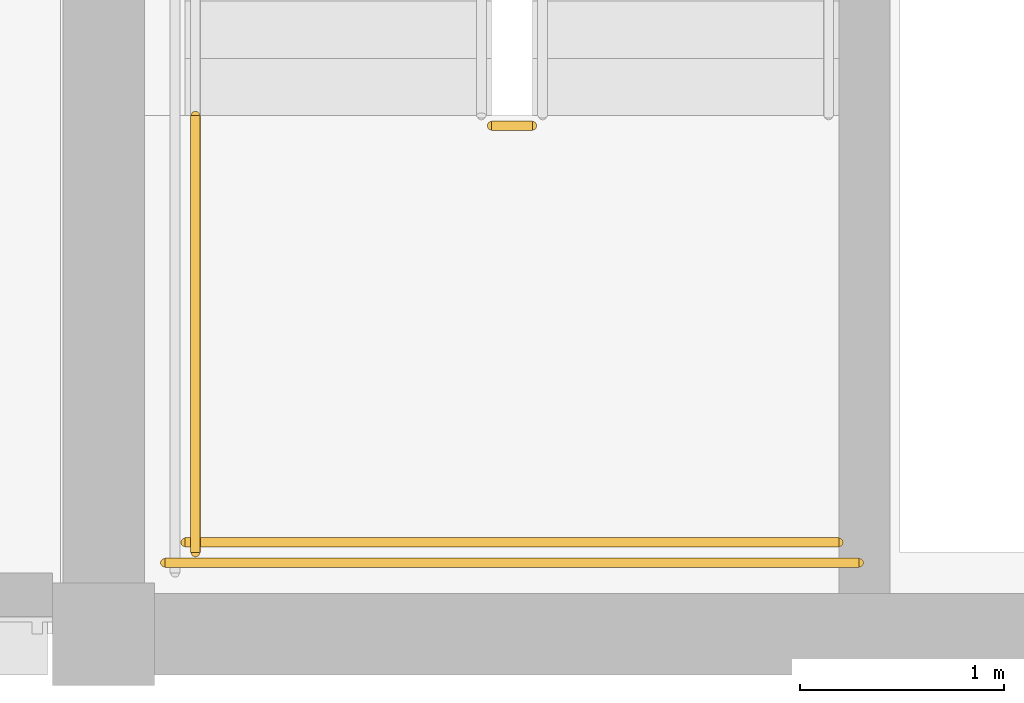
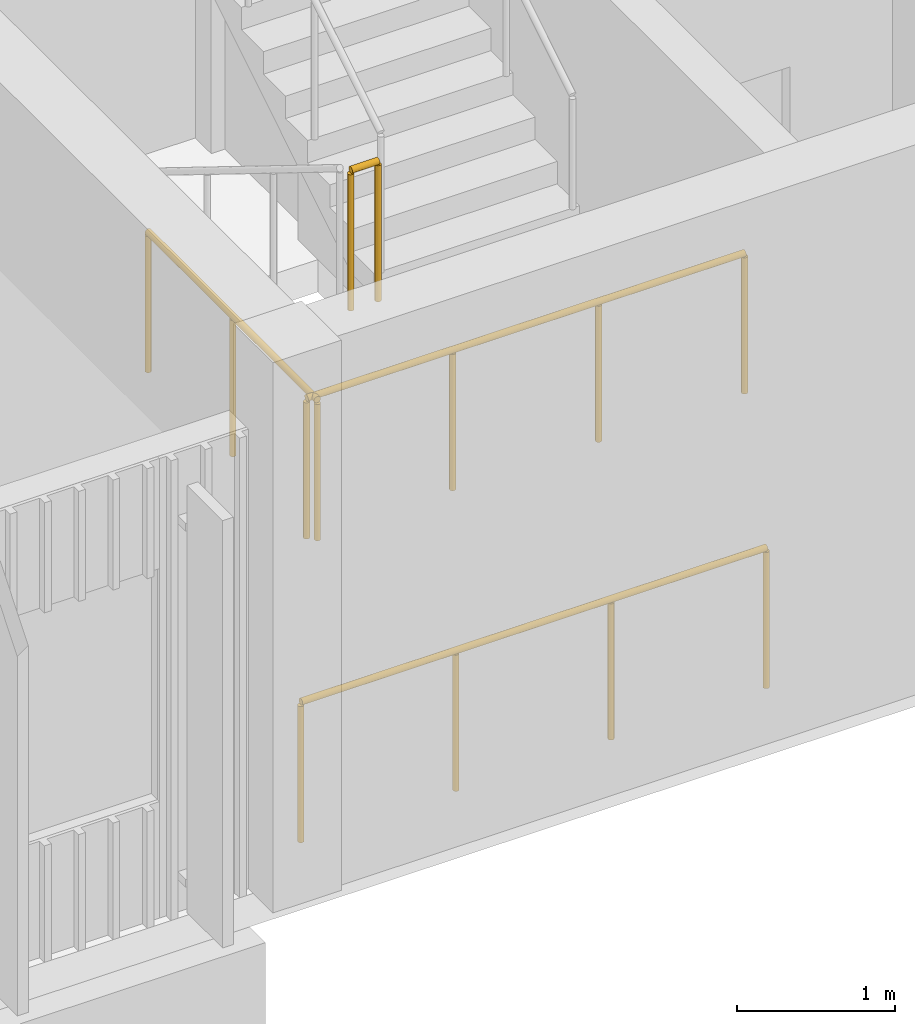
# One storey, part 75 of 92: 4 railings.
"""IFC4 building model written with IfcOpenShell, lengths in metres."""

import ifcopenshell
import ifcopenshell.guid

model = None  # the IFC model being written
_history = None  # IfcOwnerHistory: only IFC2X3 demands one
_inside = {}  # id of a spatial element -> (the spatial element, [elements in it])
_under = {}  # id of a project, library or spatial element -> (it, [spatial elements below it])
_declared = {}  # id of a project -> (the project, [libraries it declares])
_typed = {}  # id of a type object -> (the type object, [elements of that type])
_made_of = {}  # id of a material, layer set ... -> (it, [elements and type objects made of it])


def new_model(schema):
    """Start an empty IFC model of exactly this schema.

    Asked for "IFC4X3", IfcOpenShell would pick the latest addendum, in which some entities
    have other attributes; the version numbers below select the first issue.
    IFC2X3 requires an IfcOwnerHistory on every rooted entity: one is made here for all.
    """
    global model, _history
    if schema == "IFC4X3":
        model = ifcopenshell.file(schema_version=(4, 3, 0, 0))
    else:
        model = ifcopenshell.file(schema=schema)
    _inside.clear()
    _under.clear()
    _declared.clear()
    _typed.clear()
    _made_of.clear()
    _history = None
    if model.schema == "IFC2X3":
        org = make("IfcOrganization", Name="unknown")
        user = make(
            "IfcPersonAndOrganization",
            ThePerson=make("IfcPerson", FamilyName="unknown"),
            TheOrganization=org,
        )
        app = make(
            "IfcApplication",
            ApplicationDeveloper=org,
            Version="unknown",
            ApplicationFullName="unknown",
            ApplicationIdentifier="unknown",
        )
        _history = make(
            "IfcOwnerHistory",
            OwningUser=user,
            OwningApplication=app,
            ChangeAction="ADDED",
            CreationDate=0,
        )
    return model


def make(cls, **values):
    """One entity of the class cls with the attributes given. An attribute that is None is left unset."""
    return model.create_entity(
        cls, **{name: value for name, value in values.items() if value is not None}
    )


def rooted(cls, **values):
    """An entity with a GlobalId (a new one), such as an element, a storey or a relation."""
    return make(cls, GlobalId=ifcopenshell.guid.new(), OwnerHistory=_history, **values)


def si_unit(unit_type, name, prefix=None):
    """IfcSIUnit, for example si_unit("LENGTHUNIT", "METRE", prefix="MILLI")."""
    return make("IfcSIUnit", UnitType=unit_type, Prefix=prefix, Name=name)


def assignment(units):
    """IfcUnitAssignment: the units of a project."""
    return None if units is None else make("IfcUnitAssignment", Units=units)


def point(xyz):
    """IfcCartesianPoint."""
    return None if xyz is None else make("IfcCartesianPoint", Coordinates=xyz)


def direction(xyz):
    """IfcDirection."""
    return None if xyz is None else make("IfcDirection", DirectionRatios=xyz)


def frame(location, z_axis=None, x_axis=None):
    """IfcAxis2Placement3D, a coordinate frame: its origin and axes. An axis left out is left unset."""
    return make(
        "IfcAxis2Placement3D",
        Location=point(location),
        Axis=direction(z_axis),
        RefDirection=direction(x_axis),
    )


def frame_2d(location, x_axis=None):
    """IfcAxis2Placement2D, a coordinate frame in the plane: its origin and x axis."""
    return make(
        "IfcAxis2Placement2D", Location=point(location), RefDirection=direction(x_axis)
    )


def origin():
    """The frame at (0, 0, 0) with its axes left unset."""
    return frame((0.0, 0.0, 0.0))


def origin_2d():
    """The frame at (0, 0) in the plane with its x axis left unset."""
    return frame_2d((0.0, 0.0))


def place(relative_to, where):
    """IfcLocalPlacement: puts the frame where relative to a parent placement (None: the world)."""
    return make(
        "IfcLocalPlacement", PlacementRelTo=relative_to, RelativePlacement=where
    )


def context(
    kind, dimensions, precision=None, world=None, true_north=None, identifier=None
):
    """IfcGeometricRepresentationContext, for example the 3D "Model" context."""
    return make(
        "IfcGeometricRepresentationContext",
        ContextIdentifier=identifier,
        ContextType=kind,
        CoordinateSpaceDimension=dimensions,
        Precision=precision,
        WorldCoordinateSystem=world,
        TrueNorth=true_north,
    )


def subcontext(parent, identifier, kind, view, scale=None):
    """IfcGeometricRepresentationSubContext, for example "Body" below "Model"."""
    return make(
        "IfcGeometricRepresentationSubContext",
        ContextIdentifier=identifier,
        ContextType=kind,
        ParentContext=parent,
        TargetScale=scale,
        TargetView=view,
    )


def project(units=None, contexts=None):
    """IfcProject with its units and contexts."""
    return rooted(
        "IfcProject",
        Name="project",
        RepresentationContexts=contexts,
        UnitsInContext=assignment(units),
    )


def spatial(cls, under=None, at=None, **own):
    """A site, building, storey or space (cls), placed at a placement, below another one or the project."""
    s = rooted(cls, ObjectPlacement=at, **own)
    if under is not None:
        _under.setdefault(under.id(), (under, []))[1].append(s)
    return s


def profile(cls, at=None, kind="AREA", **sizes):
    """A parametric profile (cls). Its sizes go by their IFC names, for example OverallWidth=200.0."""
    return make(cls, ProfileType=kind, Position=at, **sizes)


def circle(**sizes):
    """IfcCircleProfileDef."""
    return profile("IfcCircleProfileDef", **sizes)


def extrude(swept, where, along, depth):
    """IfcExtrudedAreaSolid: the profile swept, set in the frame where, extruded along a direction by depth."""
    return make(
        "IfcExtrudedAreaSolid",
        SweptArea=swept,
        Position=where,
        ExtrudedDirection=direction(along),
        Depth=depth,
    )


def shape(context_of_items, identifier, shape_type, items):
    """IfcShapeRepresentation: the items that make up one representation, for example the "Body"."""
    return make(
        "IfcShapeRepresentation",
        ContextOfItems=context_of_items,
        RepresentationIdentifier=identifier,
        RepresentationType=shape_type,
        Items=items,
    )


def material(Name=None, Category=None):
    """IfcMaterial."""
    return make("IfcMaterial", Name=Name, Category=Category)


def made_of(thing, what):
    """Note that an element or type object is made of a material, layer set ...; save() writes the relation."""
    if what is not None:
        _made_of.setdefault(what.id(), (what, []))[1].append(thing)
    return thing


def type_object(cls, material=None, **own):
    """A type object (cls), such as IfcWallType, which elements share."""
    return made_of(rooted(cls, **own), material)


def element(
    cls,
    number,
    at=None,
    inside=None,
    cuts=None,
    type_object=None,
    material=None,
    context=None,
    identifier="Body",
    shape_type=None,
    held_by="IfcProductDefinitionShape",
    body=None,
    shapes=None,
    **own,
):
    """One element of the class cls, such as IfcWall. Its Tag is "e" and its number.

    at: its placement. inside: the storey or other place that contains it. cuts: it is an
    opening in that element (IfcRelVoidsElement). A single representation is given by context,
    identifier, shape_type and body (its items); several are given by shapes. held_by: the class
    of the entity that holds the representations. save() writes the other relations.
    """
    e = rooted(cls, Tag="e%d" % number, ObjectPlacement=at, **own)
    if body is not None:
        shapes = [shape(context, identifier, shape_type, body)]
    if shapes is not None:
        e.Representation = make(held_by, Representations=shapes)
    if inside is not None:
        _inside.setdefault(inside.id(), (inside, []))[1].append(e)
    if cuts is not None:
        rooted(
            "IfcRelVoidsElement", RelatingBuildingElement=cuts, RelatedOpeningElement=e
        )
    if type_object is not None:
        _typed.setdefault(type_object.id(), (type_object, []))[1].append(e)
    return made_of(e, material)


def aggregate(whole, parts):
    """IfcRelAggregates: a whole, such as a stair, and the parts it consists of."""
    return rooted("IfcRelAggregates", RelatingObject=whole, RelatedObjects=parts)


def save(model, path):
    """Write the relations noted so far, then the file.

    IfcRelAggregates (storeys below a building ...), IfcRelContainedInSpatialStructure (elements
    in a storey), IfcRelDefinesByType, IfcRelAssociatesMaterial and IfcRelDeclares: one each for
    every whole, place, type object, material and project.
    """
    for whole, parts in _under.values():
        aggregate(whole, parts)
    for where, things in _inside.values():
        rooted(
            "IfcRelContainedInSpatialStructure",
            RelatedElements=things,
            RelatingStructure=where,
        )
    for kind, things in _typed.values():
        rooted("IfcRelDefinesByType", RelatedObjects=things, RelatingType=kind)
    for what, things in _made_of.values():
        rooted("IfcRelAssociatesMaterial", RelatedObjects=things, RelatingMaterial=what)
    for by, libraries in _declared.values():
        rooted("IfcRelDeclares", RelatingContext=by, RelatedDefinitions=libraries)
    model.write(path)


model = new_model("IFC4")

# Units and contexts
model_context = context("Model", 3, precision=1e-05, world=origin(), true_north=direction((0.0, 1.0)))
body_context = subcontext(model_context, "Body", "Model", "MODEL_VIEW")
ifc_project = project(units=[si_unit("LENGTHUNIT", "METRE"), si_unit("AREAUNIT", "SQUARE_METRE"), si_unit("VOLUMEUNIT", "CUBIC_METRE"), si_unit("PLANEANGLEUNIT", "RADIAN"), si_unit("MASSUNIT", "GRAM", prefix="KILO")], contexts=[model_context])

# Site, building, storey
site_placement = place(None, origin())
site = spatial("IfcSite", under=ifc_project, at=site_placement, CompositionType="ELEMENT")
building_placement = place(site_placement, origin())
building = spatial("IfcBuilding", under=site, at=building_placement, Name="Merrow Basin Faculty of Sciences", CompositionType="ELEMENT")
storey_placement = place(building_placement, frame((0.0, 0.0, 4.5)))
storey = spatial("IfcBuildingStorey", under=building, at=storey_placement, Name="L01", CompositionType="ELEMENT", Elevation=4.5)

# Railings
ifc_material = material(Name="Steel ASTM A36", Category="steel")
railing_type = type_object("IfcRailingType", Name="Steel guard 1100", PredefinedType="GUARDRAIL", material=ifc_material)
railing_1_placement = place(storey_placement, frame((64.89990234375, 63.489990234375, 2.25)))
element("IfcRailing", 1, at=railing_1_placement, inside=storey, type_object=railing_type, Name="L01 ST-V2-S stair guard 2", PredefinedType="GUARDRAIL", context=body_context, shape_type="SweptSolid", body=[
    extrude(circle(Radius=0.02392578125, at=origin_2d()), frame((0.0, 0.0, 1.076171875), z_axis=(1.0, 0.0, 0.0), x_axis=(0.0, 1.0, 0.0)), (0.0, 0.0, 1.0), 0.2001953125),
    extrude(circle(Radius=0.02099609375, at=origin_2d()), origin(), (0.0, 0.0, 1.0), 1.052001953125),
    extrude(circle(Radius=0.02099609375, at=origin_2d()), frame((0.2001953125, 0.0, 0.0)), (0.0, 0.0, 1.0), 1.052001953125),
])
railing_2_placement = place(storey_placement, frame((63.449951171875, 63.5400390625, 2.25)))
element("IfcRailing", 2, at=railing_2_placement, inside=storey, type_object=railing_type, Name="L01 ST-V2-S stair guard 3", PredefinedType="GUARDRAIL", context=body_context, shape_type="SweptSolid", body=[
    extrude(circle(Radius=0.02392578125, at=origin_2d()), frame((0.0, 0.0, 1.076171875), z_axis=(0.0, -1.0, 0.0), x_axis=(1.0, 0.0, 0.0)), (0.0, 0.0, 1.0), 2.14013671875),
    extrude(circle(Radius=0.02099609375, at=origin_2d()), origin(), (0.0, 0.0, 1.0), 1.052001953125),
    extrude(circle(Radius=0.02099609375, at=origin_2d()), frame((0.0, -1.070068359375, 0.0)), (0.0, 0.0, 1.0), 1.052001953125),
    extrude(circle(Radius=0.02099609375, at=origin_2d()), frame((0.0, -2.14013671875, 0.0)), (0.0, 0.0, 1.0), 1.052001953125),
])
railing_3_placement = place(storey_placement, frame((63.39990234375, 61.449951171875, 2.25)))
element("IfcRailing", 3, at=railing_3_placement, inside=storey, type_object=railing_type, Name="L01 ST-V2-S stair guard 4", PredefinedType="GUARDRAIL", context=body_context, shape_type="SweptSolid", body=[
    extrude(circle(Radius=0.02392578125, at=origin_2d()), frame((0.0, 0.0, 1.076171875), z_axis=(1.0, 0.0, 0.0), x_axis=(0.0, 1.0, 0.0)), (0.0, 0.0, 1.0), 3.2001953125),
    extrude(circle(Radius=0.02099609375, at=origin_2d()), origin(), (0.0, 0.0, 1.0), 1.052001953125),
    extrude(circle(Radius=0.02099609375, at=origin_2d()), frame((1.066650390625, 0.0, 0.0)), (0.0, 0.0, 1.0), 1.052001953125),
    extrude(circle(Radius=0.02099609375, at=origin_2d()), frame((2.133544921875, 0.0, 0.0)), (0.0, 0.0, 1.0), 1.052001953125),
    extrude(circle(Radius=0.02099609375, at=origin_2d()), frame((3.2001953125, 0.0, 0.0)), (0.0, 0.0, 1.0), 1.052001953125),
])
railing_4_placement = place(storey_placement, frame((63.300048828125, 61.35009765625, 0.0)))
element("IfcRailing", 4, at=railing_4_placement, inside=storey, type_object=railing_type, Name="L01 ST-V2-S stair guard 9", PredefinedType="GUARDRAIL", context=body_context, shape_type="SweptSolid", body=[
    extrude(circle(Radius=0.02392578125, at=origin_2d()), frame((0.0, 0.0, 1.076171875), z_axis=(1.0, 0.0, 0.0), x_axis=(0.0, 1.0, 0.0)), (0.0, 0.0, 1.0), 3.39990234375),
    extrude(circle(Radius=0.02099609375, at=origin_2d()), origin(), (0.0, 0.0, 1.0), 1.052001953125),
    extrude(circle(Radius=0.02099609375, at=origin_2d()), frame((1.13330078125, 0.0, 0.0)), (0.0, 0.0, 1.0), 1.052001953125),
    extrude(circle(Radius=0.02099609375, at=origin_2d()), frame((2.2666015625, 0.0, 0.0)), (0.0, 0.0, 1.0), 1.052001953125),
    extrude(circle(Radius=0.02099609375, at=origin_2d()), frame((3.39990234375, 0.0, 0.0)), (0.0, 0.0, 1.0), 1.052001953125),
])

save(model, "model.ifc")
